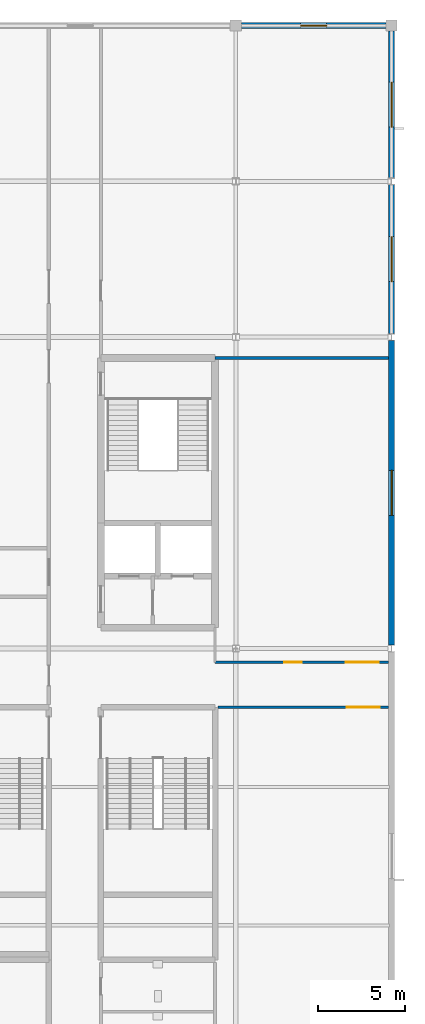
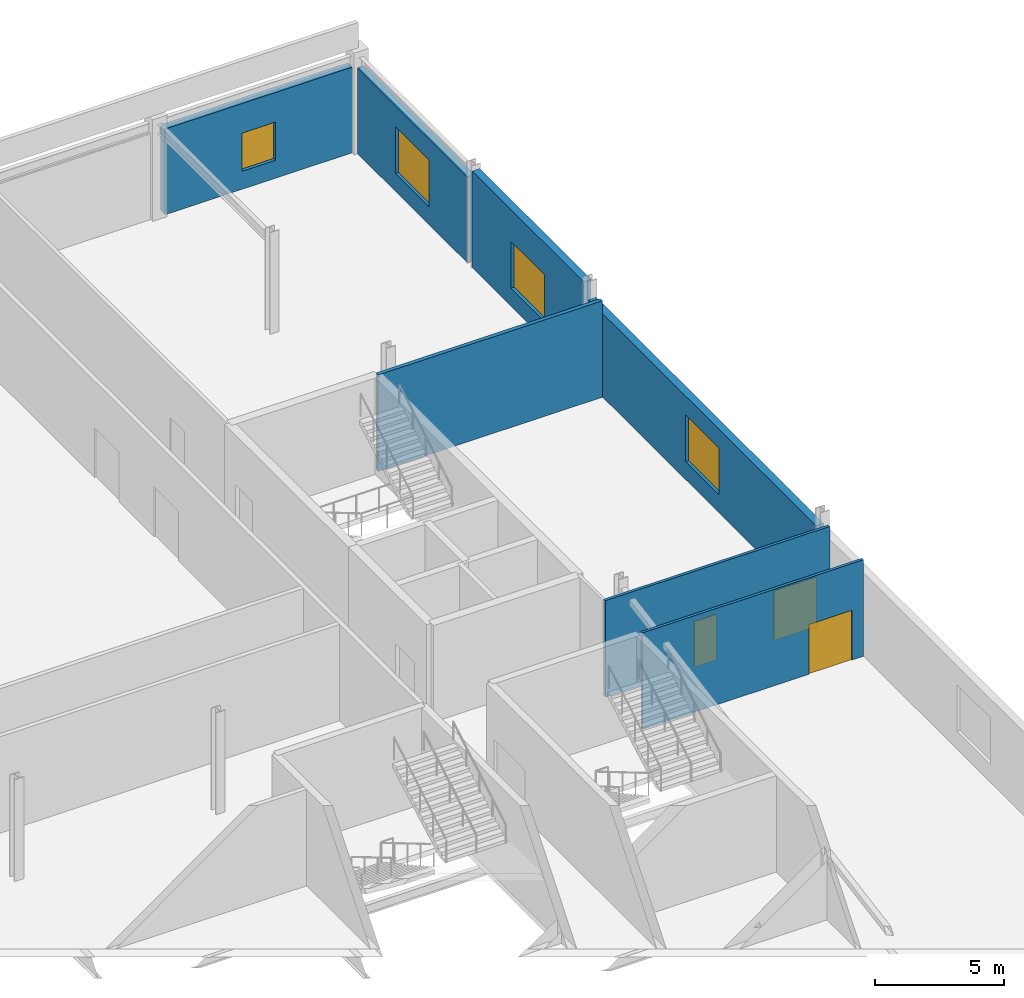
# One storey, part 108 of 136: 7 walls, 4 windows, 3 doors, 7 openings.
"""IFC4 building model written with IfcOpenShell, lengths in metres."""

from ifc_helpers import new_model, si_unit, direction, frame, frame_2d, origin, place, context, subcontext, project, spatial, rectangle, extrude, material, layer, layer_set, type_object, element, fill, save


model = new_model("IFC4")

# Units and contexts
model_context = context("Model", 3, precision=1e-05, world=origin(), true_north=direction((0.0, 1.0)))
body_context = subcontext(model_context, "Body", "Model", "MODEL_VIEW")
ifc_project = project(units=[si_unit("LENGTHUNIT", "METRE"), si_unit("AREAUNIT", "SQUARE_METRE"), si_unit("VOLUMEUNIT", "CUBIC_METRE"), si_unit("PLANEANGLEUNIT", "RADIAN"), si_unit("MASSUNIT", "GRAM", prefix="KILO")], contexts=[model_context])

# Site, building, storey
site_placement = place(None, origin())
site = spatial("IfcSite", under=ifc_project, at=site_placement, CompositionType="ELEMENT")
building_placement = place(site_placement, origin())
building = spatial("IfcBuilding", under=site, at=building_placement, Name="Kisiwana Market Hall", CompositionType="ELEMENT")
storey_placement = place(building_placement, frame((0.0, 0.0, 16.800048828125)))
storey = spatial("IfcBuildingStorey", under=building, at=storey_placement, Name="L03", CompositionType="ELEMENT", Elevation=16.800048828125)

# Wall
ifc_material_1 = material(Name="Masonry blockwork", Category="masonry")
ifc_layer_1 = layer(ifc_material_1, 0.169921875, Name="Protected corridor partition")
ifc_layer_set_1 = layer_set([ifc_layer_1], Name="WL-CORR-170")
wall_type_1 = type_object("IfcWallType", Name="WL-CORR-170", PredefinedType="PARTITIONING", material=ifc_layer_set_1)
wall_1_placement = place(storey_placement, frame((187.800048828125, 100.800048828125, 0.0), z_axis=(0.0, 0.0, 1.0), x_axis=(1.0, 0.0, 0.0)))
element("IfcWall", 1, at=wall_1_placement, inside=storey, type_object=wall_type_1, Name="Interior partition W-1474", PredefinedType="PARTITIONING", context=body_context, shape_type="SweptSolid", body=[
    extrude(rectangle(XDim=10.030029296875, YDim=0.169921875, at=frame_2d((5.01513671875, 0.0))), origin(), (0.0, 0.0, 1.0), 4.554931640625),
])

# Wall, opening, window
ifc_material_2 = material(Name="Concrete C40/50 precast", Category="concrete")
ifc_layer_2 = layer(ifc_material_2, 0.14990234375, Name="Precast architectural concrete spandrel")
ifc_material_3 = material(Name="Mineral wool insulation")
ifc_layer_3 = layer(ifc_material_3, 0.090087890625, Name="Rockwool thermal insulation")
ifc_material_4 = material(Name="Masonry blockwork", Category="masonry")
ifc_layer_4 = layer(ifc_material_4, 0.10009765625, Name="Inner masonry block leaf")
ifc_layer_set_2 = layer_set([ifc_layer_2, ifc_layer_3, ifc_layer_4], Name="WL-EXT-PREC-340")
wall_type_2 = type_object("IfcWallType", Name="WL-EXT-PREC-340", PredefinedType="STANDARD", material=ifc_layer_set_2)
wall_2_placement = place(storey_placement, frame((189.31689453125, 120.0, 0.0), z_axis=(0.0, 0.0, 1.0), x_axis=(1.0, 0.0, 0.0)))
wall_2 = element("IfcWall", 2, at=wall_2_placement, inside=storey, type_object=wall_type_2, Name="Exterior wall W-1381", PredefinedType="STANDARD", context=body_context, shape_type="SweptSolid", body=[
    extrude(rectangle(XDim=8.3662109375, YDim=0.340087890625, at=frame_2d((4.18310546875, 0.0))), origin(), (0.0, 0.0, 1.0), 4.0478515625),
])
opening_1_placement = place(wall_2_placement, frame((3.43310546875, 0.0, 0.85009765625)))
opening_1 = element("IfcOpeningElement", 3, at=opening_1_placement, cuts=wall_2, Name="Opening WN-14", PredefinedType="OPENING", context=body_context, shape_type="SweptSolid", body=[
    extrude(rectangle(XDim=1.5, YDim=1.800048828125, at=frame_2d((0.75, 0.89990234375))), frame((0.0, 0.18212890625, 0.0), z_axis=(0.0, -1.0, 0.0), x_axis=(1.0, 0.0, 0.0)), (0.0, 0.0, 1.0), 0.364013671875),
])
ifc_material_5 = material(Name="Double-glazed solar-control low-E IGU", Category="glass")
window_type_1 = type_object("IfcWindowType", Name="WN-POD-1500x1800", PartitioningType="SINGLE_PANEL", PredefinedType="WINDOW", material=ifc_material_5)
window_1_placement = place(opening_1_placement, origin())
window_1 = element("IfcWindow", 4, at=window_1_placement, inside=storey, type_object=window_type_1, Name="Exterior window WN-111", OverallHeight=1.800048828125, OverallWidth=1.5, PartitioningType="SINGLE_PANEL", PredefinedType="WINDOW", context=body_context, shape_type="SweptSolid", body=[
    extrude(rectangle(XDim=1.5, YDim=1.800048828125, at=frame_2d((0.75, 0.89990234375))), frame((0.0, 0.030029296875, 0.0), z_axis=(0.0, -1.0, 0.0), x_axis=(1.0, 0.0, 0.0)), (0.0, 0.0, 1.0), 0.06005859375),
])
fill(opening_1, window_1)

wall_3_placement = place(storey_placement, frame((198.0, 84.194091796875, 0.0), z_axis=(0.0, 0.0, 1.0), x_axis=(0.0, 1.0, 0.0)))
wall_3 = element("IfcWall", 5, at=wall_3_placement, inside=storey, type_object=wall_type_2, Name="Exterior wall W-1407", PredefinedType="STANDARD", context=body_context, shape_type="SweptSolid", body=[
    extrude(rectangle(XDim=17.61181640625, YDim=0.340087890625, at=frame_2d((8.805908203125, 0.0))), origin(), (0.0, 0.0, 1.0), 3.94287109375),
])
opening_2_placement = place(wall_3_placement, frame((7.506103515625, 0.0, 0.85009765625)))
opening_2 = element("IfcOpeningElement", 6, at=opening_2_placement, cuts=wall_3, Name="Opening WN-16", PredefinedType="OPENING", context=body_context, shape_type="SweptSolid", body=[
    extrude(rectangle(XDim=2.60009765625, YDim=2.199951171875, at=frame_2d((1.300048828125, 1.10009765625))), frame((0.0, 0.18212890625, 0.0), z_axis=(0.0, -1.0, 0.0), x_axis=(1.0, 0.0, 0.0)), (0.0, 0.0, 1.0), 0.364013671875),
])
ifc_material_6 = material(Name="Double-glazed solar-control low-E IGU", Category="glass")
window_type_2 = type_object("IfcWindowType", Name="WN-EXH-2600x2200", PartitioningType="SINGLE_PANEL", PredefinedType="WINDOW", material=ifc_material_6)
window_2_placement = place(opening_2_placement, origin())
window_2 = element("IfcWindow", 7, at=window_2_placement, inside=storey, type_object=window_type_2, Name="Exterior window WN-121", OverallHeight=2.199951171875, OverallWidth=2.60009765625, PartitioningType="SINGLE_PANEL", PredefinedType="WINDOW", context=body_context, shape_type="SweptSolid", body=[
    extrude(rectangle(XDim=2.60009765625, YDim=2.199951171875, at=frame_2d((1.300048828125, 1.10009765625))), frame((0.0, 0.030029296875, 0.0), z_axis=(0.0, -1.0, 0.0), x_axis=(1.0, 0.0, 0.0)), (0.0, 0.0, 1.0), 0.06005859375),
])
fill(opening_2, window_2)

wall_4_placement = place(storey_placement, frame((198.0, 102.194091796875, 0.0), z_axis=(0.0, 0.0, 1.0), x_axis=(0.0, 1.0, 0.0)))
wall_4 = element("IfcWall", 8, at=wall_4_placement, inside=storey, type_object=wall_type_2, Name="Exterior wall W-1408", PredefinedType="STANDARD", context=body_context, shape_type="SweptSolid", body=[
    extrude(rectangle(XDim=8.6171875, YDim=0.340087890625, at=frame_2d((4.30859375, 0.0))), origin(), (0.0, 0.0, 1.0), 4.554931640625),
])
opening_3_placement = place(wall_4_placement, frame((3.0087890625, 0.0, 0.85009765625)))
opening_3 = element("IfcOpeningElement", 9, at=opening_3_placement, cuts=wall_4, Name="Opening WN-16", PredefinedType="OPENING", context=body_context, shape_type="SweptSolid", body=[
    extrude(rectangle(XDim=2.60009765625, YDim=2.199951171875, at=frame_2d((1.300048828125, 1.10009765625))), frame((0.0, 0.18212890625, 0.0), z_axis=(0.0, -1.0, 0.0), x_axis=(1.0, 0.0, 0.0)), (0.0, 0.0, 1.0), 0.364013671875),
])
window_3_placement = place(opening_3_placement, origin())
window_3 = element("IfcWindow", 10, at=window_3_placement, inside=storey, type_object=window_type_2, Name="Exterior window WN-122", OverallHeight=2.199951171875, OverallWidth=2.60009765625, PartitioningType="SINGLE_PANEL", PredefinedType="WINDOW", context=body_context, shape_type="SweptSolid", body=[
    extrude(rectangle(XDim=2.60009765625, YDim=2.199951171875, at=frame_2d((1.300048828125, 1.10009765625))), frame((0.0, 0.030029296875, 0.0), z_axis=(0.0, -1.0, 0.0), x_axis=(1.0, 0.0, 0.0)), (0.0, 0.0, 1.0), 0.06005859375),
])
fill(opening_3, window_3)

wall_5_placement = place(storey_placement, frame((198.0, 111.188720703125, 0.0), z_axis=(0.0, 0.0, 1.0), x_axis=(0.0, 1.0, 0.0)))
wall_5 = element("IfcWall", 11, at=wall_5_placement, inside=storey, type_object=wall_type_2, Name="Exterior wall W-1409", PredefinedType="STANDARD", context=body_context, shape_type="SweptSolid", body=[
    extrude(rectangle(XDim=8.494384765625, YDim=0.340087890625, at=frame_2d((4.2470703125, 0.0))), origin(), (0.0, 0.0, 1.0), 4.0478515625),
])
opening_4_placement = place(wall_5_placement, frame((2.947265625, 0.0, 0.85009765625)))
opening_4 = element("IfcOpeningElement", 12, at=opening_4_placement, cuts=wall_5, Name="Opening WN-16", PredefinedType="OPENING", context=body_context, shape_type="SweptSolid", body=[
    extrude(rectangle(XDim=2.60009765625, YDim=2.199951171875, at=frame_2d((1.300048828125, 1.10009765625))), frame((0.0, 0.18212890625, 0.0), z_axis=(0.0, -1.0, 0.0), x_axis=(1.0, 0.0, 0.0)), (0.0, 0.0, 1.0), 0.364013671875),
])
window_4_placement = place(opening_4_placement, origin())
window_4 = element("IfcWindow", 13, at=window_4_placement, inside=storey, type_object=window_type_2, Name="Exterior window WN-123", OverallHeight=2.199951171875, OverallWidth=2.60009765625, PartitioningType="SINGLE_PANEL", PredefinedType="WINDOW", context=body_context, shape_type="SweptSolid", body=[
    extrude(rectangle(XDim=2.60009765625, YDim=2.199951171875, at=frame_2d((1.300048828125, 1.10009765625))), frame((0.0, 0.030029296875, 0.0), z_axis=(0.0, -1.0, 0.0), x_axis=(1.0, 0.0, 0.0)), (0.0, 0.0, 1.0), 0.06005859375),
])
fill(opening_4, window_4)

# Wall, opening, door
ifc_material_7 = material(Name="Gypsum plasterboard")
ifc_layer_5 = layer(ifc_material_7, 0.125, Name="Double gypsum board + acoustic stud")
ifc_layer_set_3 = layer_set([ifc_layer_5], Name="WL-OFF-125")
wall_type_3 = type_object("IfcWallType", Name="WL-OFF-125", PredefinedType="PARTITIONING", material=ifc_layer_set_3)
wall_6_placement = place(storey_placement, frame((187.9599609375, 80.60009765625, 0.0), z_axis=(0.0, 0.0, 1.0), x_axis=(1.0, 0.0, 0.0)))
wall_6 = element("IfcWall", 14, at=wall_6_placement, inside=storey, type_object=wall_type_3, Name="Interior partition W-1477", PredefinedType="PARTITIONING", context=body_context, shape_type="SweptSolid", body=[
    extrude(rectangle(XDim=9.8701171875, YDim=0.125, at=frame_2d((4.93505859375, 0.0))), origin(), (0.0, 0.0, 1.0), 4.554931640625),
])
opening_5_placement = place(wall_6_placement, frame((7.449951171875, 0.0, 0.0)))
opening_5 = element("IfcOpeningElement", 15, at=opening_5_placement, cuts=wall_6, Name="Opening DR-L03-070", PredefinedType="OPENING", context=body_context, shape_type="SweptSolid", body=[
    extrude(rectangle(XDim=1.89990234375, YDim=2.35009765625, at=frame_2d((0.949951171875, 1.175048828125))), frame((0.0, 0.074462890625, 0.0), z_axis=(0.0, -1.0, 0.0), x_axis=(1.0, 0.0, 0.0)), (0.0, 0.0, 1.0), 0.14892578125),
])
ifc_material_8 = material(Name="Steel S275", Category="steel")
door_type_1 = type_object("IfcDoorType", Name="DR-HALL-1900", OperationType="DOUBLE_DOOR_SINGLE_SWING", PredefinedType="DOOR", material=ifc_material_8)
door_1_placement = place(opening_5_placement, frame((1.89990234375, 0.0, 0.0), z_axis=(0.0, 0.0, 1.0), x_axis=(-1.0, 0.0, 0.0)))
door_1 = element("IfcDoor", 16, at=door_1_placement, inside=storey, type_object=door_type_1, Name="L03 E Civic Seminar Suite Central Exit Door", OperationType="DOUBLE_DOOR_SINGLE_SWING", OverallHeight=2.35009765625, OverallWidth=1.89990234375, PredefinedType="DOOR", context=body_context, shape_type="SweptSolid", body=[
    extrude(rectangle(XDim=1.89990234375, YDim=2.35009765625, at=frame_2d((0.949951171875, 1.175048828125))), frame((0.0, 0.02490234375, 0.0), z_axis=(0.0, -1.0, 0.0), x_axis=(1.0, 0.0, 0.0)), (0.0, 0.0, 1.0), 0.050048828125),
])
fill(opening_5, door_1)

# Wall, openings, doors
wall_7_placement = place(storey_placement, frame((187.800048828125, 83.199951171875, 0.0), z_axis=(0.0, 0.0, 1.0), x_axis=(1.0, 0.0, 0.0)))
wall_7 = element("IfcWall", 17, at=wall_7_placement, inside=storey, type_object=wall_type_3, Name="Interior partition W-1478", PredefinedType="PARTITIONING", context=body_context, shape_type="SweptSolid", body=[
    extrude(rectangle(XDim=10.030029296875, YDim=0.125, at=frame_2d((5.01513671875, 0.0))), origin(), (0.0, 0.0, 1.0), 4.554931640625),
])
opening_6_placement = place(wall_7_placement, frame((4.0, 0.0, 0.0)))
opening_6 = element("IfcOpeningElement", 18, at=opening_6_placement, cuts=wall_7, Name="Opening DR-L03-071", PredefinedType="OPENING", context=body_context, shape_type="SweptSolid", body=[
    extrude(rectangle(XDim=1.0, YDim=2.14990234375, at=frame_2d((0.5, 1.074951171875))), frame((0.0, 0.074462890625, 0.0), z_axis=(0.0, -1.0, 0.0), x_axis=(1.0, 0.0, 0.0)), (0.0, 0.0, 1.0), 0.14892578125),
])
opening_7_placement = place(wall_7_placement, frame((7.550048828125, 0.0, 0.0)))
opening_7 = element("IfcOpeningElement", 19, at=opening_7_placement, cuts=wall_7, Name="Opening DR-L03-072", PredefinedType="OPENING", context=body_context, shape_type="SweptSolid", body=[
    extrude(rectangle(XDim=1.89990234375, YDim=2.35009765625, at=frame_2d((0.949951171875, 1.175048828125))), frame((0.0, 0.074462890625, 0.0), z_axis=(0.0, -1.0, 0.0), x_axis=(1.0, 0.0, 0.0)), (0.0, 0.0, 1.0), 0.14892578125),
])
door_2_placement = place(opening_7_placement, origin())
door_2 = element("IfcDoor", 20, at=door_2_placement, inside=storey, type_object=door_type_1, Name="L03 E Civic Seminar Suite North Exit Door", OperationType="DOUBLE_DOOR_SINGLE_SWING", OverallHeight=2.35009765625, OverallWidth=1.89990234375, PredefinedType="DOOR", context=body_context, shape_type="SweptSolid", body=[
    extrude(rectangle(XDim=1.89990234375, YDim=2.35009765625, at=frame_2d((0.949951171875, 1.175048828125))), frame((0.0, 0.02490234375, 0.0), z_axis=(0.0, -1.0, 0.0), x_axis=(1.0, 0.0, 0.0)), (0.0, 0.0, 1.0), 0.050048828125),
])
fill(opening_7, door_2)
ifc_material_9 = material(Name="Aluminium alloy 6063-T6", Category="aluminium")
door_type_2 = type_object("IfcDoorType", Name="DR-OFF-1000", OperationType="NOTDEFINED", PredefinedType="DOOR", material=ifc_material_9)
door_3_placement = place(opening_6_placement, origin())
door_3 = element("IfcDoor", 21, at=door_3_placement, inside=storey, type_object=door_type_2, Name="L03 E Civic Seminar Suite North Door", OperationType="SINGLE_SWING_LEFT", OverallHeight=2.14990234375, OverallWidth=1.0, PredefinedType="DOOR", context=body_context, shape_type="SweptSolid", body=[
    extrude(rectangle(XDim=1.0, YDim=2.14990234375, at=frame_2d((0.5, 1.074951171875))), frame((0.0, 0.02490234375, 0.0), z_axis=(0.0, -1.0, 0.0), x_axis=(1.0, 0.0, 0.0)), (0.0, 0.0, 1.0), 0.050048828125),
])
fill(opening_6, door_3)

save(model, "model.ifc")
